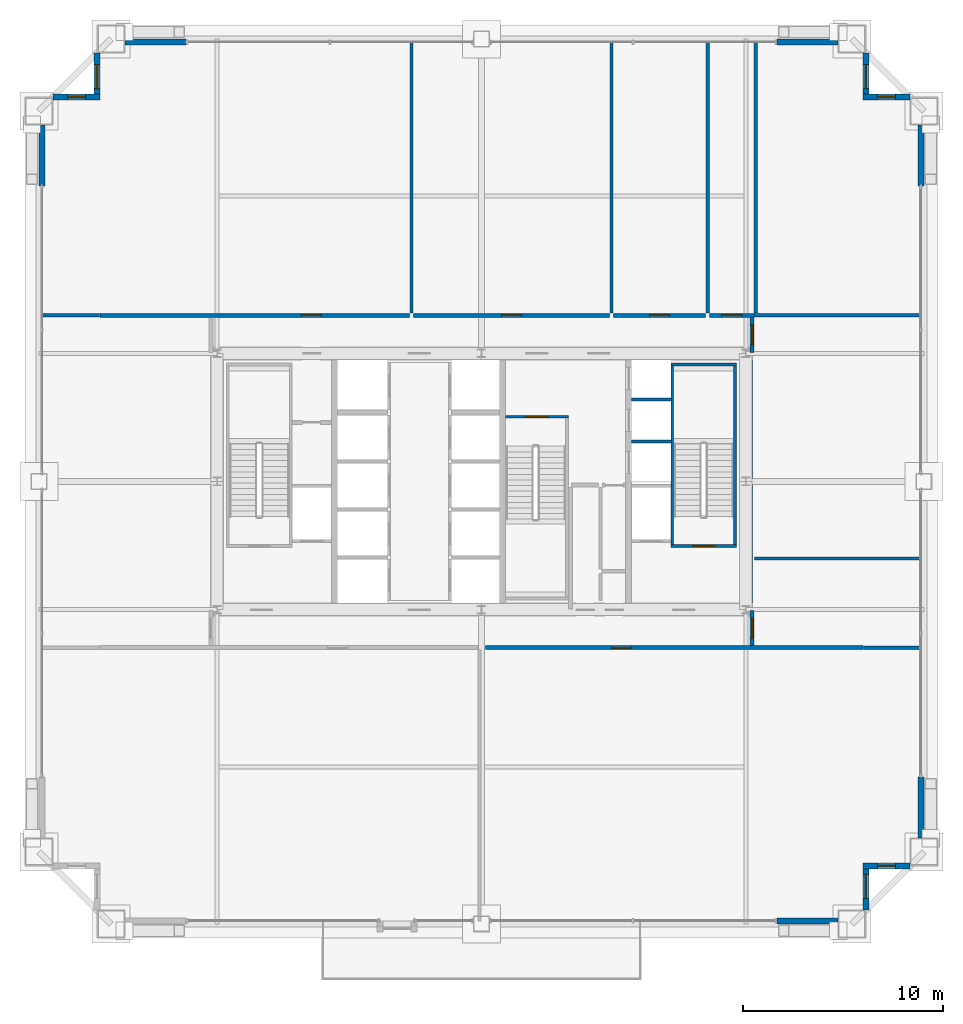
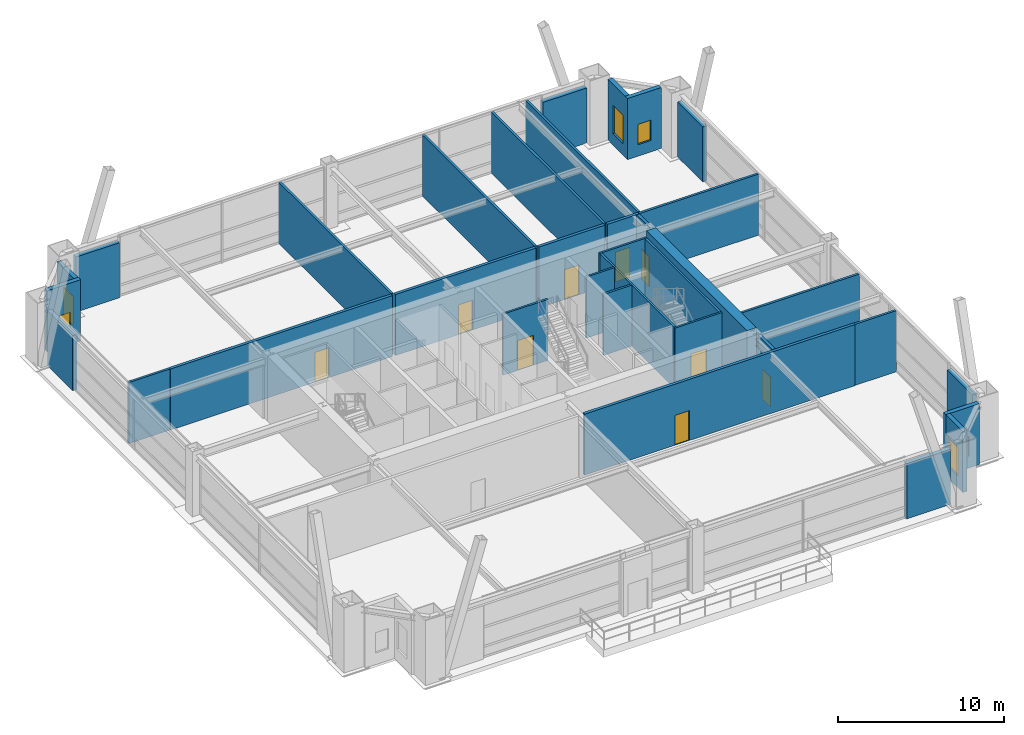
# One storey, part 32 of 34: 35 walls, 9 doors, 6 windows, 15 openings.
"""IFC4 building model written with IfcOpenShell, lengths in metres."""

from ifc_helpers import new_model, si_unit, direction, frame, frame_2d, origin, place, context, subcontext, project, spatial, rectangle, extrude, source, transform, mapped, material, layer, layer_set, type_object, element, fill, save


model = new_model("IFC4")

# Units and contexts
model_context = context("Model", 3, precision=1e-05, world=origin(), true_north=direction((0.0, 1.0)))
body_context = subcontext(model_context, "Body", "Model", "MODEL_VIEW")
ifc_project = project(units=[si_unit("LENGTHUNIT", "METRE"), si_unit("AREAUNIT", "SQUARE_METRE"), si_unit("VOLUMEUNIT", "CUBIC_METRE"), si_unit("PLANEANGLEUNIT", "RADIAN"), si_unit("MASSUNIT", "GRAM", prefix="KILO"), si_unit("THERMODYNAMICTEMPERATUREUNIT", "KELVIN"), si_unit("POWERUNIT", "WATT")], contexts=[model_context])

# Site, building, storey
site_placement = place(None, origin())
site = spatial("IfcSite", under=ifc_project, at=site_placement, CompositionType="ELEMENT")
building_placement = place(site_placement, origin())
building = spatial("IfcBuilding", under=site, at=building_placement, Name="Yuzanri Waterfront Tower", CompositionType="ELEMENT")
storey_placement = place(building_placement, frame((0.0, 0.0, 166.800048828125)))
storey = spatial("IfcBuildingStorey", under=building, at=storey_placement, Name="L44", CompositionType="ELEMENT", Elevation=166.800048828125)

# Wall, opening, window
ifc_material_1 = material(Name="Honed Chongqing Dark Basalt Stone", Category="masonry")
ifc_layer_1 = layer(ifc_material_1, 0.300048828125)
ifc_layer_set_1 = layer_set([ifc_layer_1], Name="Honed Chongqing Dark Basalt Stone")
wall_type_1 = type_object("IfcWallType", Name="Bronze Rainscreen Insulated Spandrel Portal Wall 300", PredefinedType="SOLIDWALL", material=ifc_layer_set_1)
wall_1_placement = place(storey_placement, frame((56.050048828125, 6.60009765625, 0.0), z_axis=(0.0, 0.0, 1.0), x_axis=(1.0, 0.0, 0.0)))
wall_1 = element("IfcWall", 1, at=wall_1_placement, inside=storey, type_object=wall_type_1, Name="L44 Notched Corner Masonry Wall SE-X", PredefinedType="SOLIDWALL", context=body_context, shape_type="SweptSolid", body=[
    extrude(rectangle(XDim=2.349853515625, YDim=0.300048828125, at=frame_2d((1.1748046875, 0.0))), origin(), (0.0, 0.0, 1.0), 4.5),
])
opening_1_placement = place(wall_1_placement, frame((0.72509765625, 0.0, 0.85009765625)))
opening_1 = element("IfcOpeningElement", 2, at=opening_1_placement, cuts=wall_1, Name="Opening WN-05", PredefinedType="OPENING", context=body_context, shape_type="SweptSolid", body=[
    extrude(rectangle(XDim=0.89990234375, YDim=1.5, at=frame_2d((0.449951171875, 0.75))), frame((0.0, 0.1650390625, 0.0), z_axis=(0.0, -1.0, 0.0), x_axis=(1.0, 0.0, 0.0)), (0.0, 0.0, 1.0), 0.329833984375),
])
ifc_material_2 = material(Name="Double-Silver Low-E Insulated Glass", Category="glass")
window_type_1 = type_object("IfcWindowType", Name="Anodized Bronze Service and Stairwell Smoke-Vent Window 900x1500", PartitioningType="SINGLE_PANEL", PredefinedType="WINDOW", material=ifc_material_2)
shared_shape_1 = source(origin(), body_context, "Body", "SweptSolid", [
    extrude(rectangle(XDim=0.89990234375, YDim=1.5, at=frame_2d((0.449951171875, 0.75))), frame((0.0, 0.030029296875, 0.0), z_axis=(0.0, -1.0, 0.0), x_axis=(1.0, 0.0, 0.0)), (0.0, 0.0, 1.0), 0.06005859375),
])
window_1_placement = place(opening_1_placement, origin())
window_1 = element("IfcWindow", 3, at=window_1_placement, inside=storey, type_object=window_type_1, Name="L44 Notched Corner Window SE-X", OverallHeight=1.5, OverallWidth=0.89990234375, PartitioningType="SINGLE_PANEL", PredefinedType="WINDOW", context=body_context, shape_type="MappedRepresentation", body=[
    mapped(shared_shape_1, transform((0.0, 0.0, 0.0), scale=1.0)),
])
fill(opening_1, window_1)

wall_2_placement = place(storey_placement, frame((56.199951171875, 4.39990234375, 0.0), z_axis=(0.0, 0.0, 1.0), x_axis=(0.0, 1.0, 0.0)))
wall_2 = element("IfcWall", 4, at=wall_2_placement, inside=storey, type_object=wall_type_1, Name="L44 Notched Corner Masonry Wall SE-Y", PredefinedType="SOLIDWALL", context=body_context, shape_type="SweptSolid", body=[
    extrude(rectangle(XDim=2.35009765625, YDim=0.300048828125, at=frame_2d((1.175048828125, 0.0))), origin(), (0.0, 0.0, 1.0), 4.5),
])
opening_2_placement = place(wall_2_placement, frame((0.574951171875, 0.0, 0.85009765625)))
opening_2 = element("IfcOpeningElement", 5, at=opening_2_placement, cuts=wall_2, Name="Opening WN-02", PredefinedType="OPENING", context=body_context, shape_type="SweptSolid", body=[
    extrude(rectangle(XDim=1.199951171875, YDim=2.10009765625, at=frame_2d((0.60009765625, 1.050048828125))), frame((0.0, 0.1650390625, 0.0), z_axis=(0.0, -1.0, 0.0), x_axis=(1.0, 0.0, 0.0)), (0.0, 0.0, 1.0), 0.329833984375),
])
ifc_material_3 = material(Name="Double-Silver Low-E Insulated Glass", Category="glass")
window_type_2 = type_object("IfcWindowType", Name="Anodized Bronze Notched Corner Deep-Set Slot Window 1200x2100", PartitioningType="SINGLE_PANEL", PredefinedType="WINDOW", material=ifc_material_3)
shared_shape_2 = source(origin(), body_context, "Body", "SweptSolid", [
    extrude(rectangle(XDim=1.199951171875, YDim=2.10009765625, at=frame_2d((0.60009765625, 1.050048828125))), frame((0.0, 0.030029296875, 0.0), z_axis=(0.0, -1.0, 0.0), x_axis=(1.0, 0.0, 0.0)), (0.0, 0.0, 1.0), 0.06005859375),
])
window_2_placement = place(opening_2_placement, origin())
window_2 = element("IfcWindow", 6, at=window_2_placement, inside=storey, type_object=window_type_2, Name="L44 Notched Corner Window SE-Y", OverallHeight=2.10009765625, OverallWidth=1.199951171875, PartitioningType="SINGLE_PANEL", PredefinedType="WINDOW", context=body_context, shape_type="MappedRepresentation", body=[
    mapped(shared_shape_2, transform((0.0, 0.0, 0.0), scale=1.0)),
])
fill(opening_2, window_2)

wall_3_placement = place(storey_placement, frame((17.949951171875, 45.0, 0.0), z_axis=(0.0, 0.0, 1.0), x_axis=(-1.0, 0.0, 0.0)))
wall_3 = element("IfcWall", 7, at=wall_3_placement, inside=storey, type_object=wall_type_1, Name="L44 Notched Corner Masonry Wall NW-X", PredefinedType="SOLIDWALL", context=body_context, shape_type="SweptSolid", body=[
    extrude(rectangle(XDim=2.349853515625, YDim=0.300048828125, at=frame_2d((1.1748046875, 0.0))), origin(), (0.0, 0.0, 1.0), 4.5),
])
opening_3_placement = place(wall_3_placement, frame((0.72509765625, 0.0, 0.85009765625)))
opening_3 = element("IfcOpeningElement", 8, at=opening_3_placement, cuts=wall_3, Name="Opening WN-05", PredefinedType="OPENING", context=body_context, shape_type="SweptSolid", body=[
    extrude(rectangle(XDim=0.89990234375, YDim=1.5, at=frame_2d((0.449951171875, 0.75))), frame((0.0, 0.1650390625, 0.0), z_axis=(0.0, -1.0, 0.0), x_axis=(1.0, 0.0, 0.0)), (0.0, 0.0, 1.0), 0.329833984375),
])
window_3_placement = place(opening_3_placement, origin())
window_3 = element("IfcWindow", 9, at=window_3_placement, inside=storey, type_object=window_type_1, Name="L44 Notched Corner Window NW-X", OverallHeight=1.5, OverallWidth=0.89990234375, PartitioningType="SINGLE_PANEL", PredefinedType="WINDOW", context=body_context, shape_type="MappedRepresentation", body=[
    mapped(shared_shape_1, transform((0.0, 0.0, 0.0), scale=1.0)),
])
fill(opening_3, window_3)

wall_4_placement = place(storey_placement, frame((17.800048828125, 47.199951171875, 0.0), z_axis=(0.0, 0.0, 1.0), x_axis=(0.0, -1.0, 0.0)))
wall_4 = element("IfcWall", 10, at=wall_4_placement, inside=storey, type_object=wall_type_1, Name="L44 Notched Corner Masonry Wall NW-Y", PredefinedType="SOLIDWALL", context=body_context, shape_type="SweptSolid", body=[
    extrude(rectangle(XDim=2.349853515625, YDim=0.300048828125, at=frame_2d((1.1748046875, 0.0))), origin(), (0.0, 0.0, 1.0), 4.5),
])
opening_4_placement = place(wall_4_placement, frame((0.574951171875, 0.0, 0.85009765625)))
opening_4 = element("IfcOpeningElement", 11, at=opening_4_placement, cuts=wall_4, Name="Opening WN-02", PredefinedType="OPENING", context=body_context, shape_type="SweptSolid", body=[
    extrude(rectangle(XDim=1.199951171875, YDim=2.10009765625, at=frame_2d((0.60009765625, 1.050048828125))), frame((0.0, 0.1650390625, 0.0), z_axis=(0.0, -1.0, 0.0), x_axis=(1.0, 0.0, 0.0)), (0.0, 0.0, 1.0), 0.329833984375),
])
window_4_placement = place(opening_4_placement, origin())
window_4 = element("IfcWindow", 12, at=window_4_placement, inside=storey, type_object=window_type_2, Name="L44 Notched Corner Window NW-Y", OverallHeight=2.10009765625, OverallWidth=1.199951171875, PartitioningType="SINGLE_PANEL", PredefinedType="WINDOW", context=body_context, shape_type="MappedRepresentation", body=[
    mapped(shared_shape_2, transform((0.0, 0.0, 0.0), scale=1.0)),
])
fill(opening_4, window_4)

wall_5_placement = place(storey_placement, frame((58.39990234375, 45.0, 0.0), z_axis=(0.0, 0.0, 1.0), x_axis=(-1.0, 0.0, 0.0)))
wall_5 = element("IfcWall", 13, at=wall_5_placement, inside=storey, type_object=wall_type_1, Name="L44 Notched Corner Masonry Wall NE-X", PredefinedType="SOLIDWALL", context=body_context, shape_type="SweptSolid", body=[
    extrude(rectangle(XDim=2.349853515625, YDim=0.300048828125, at=frame_2d((1.1748046875, 0.0))), origin(), (0.0, 0.0, 1.0), 4.5),
])
opening_5_placement = place(wall_5_placement, frame((0.72509765625, 0.0, 0.85009765625)))
opening_5 = element("IfcOpeningElement", 14, at=opening_5_placement, cuts=wall_5, Name="Opening WN-05", PredefinedType="OPENING", context=body_context, shape_type="SweptSolid", body=[
    extrude(rectangle(XDim=0.89990234375, YDim=1.5, at=frame_2d((0.449951171875, 0.75))), frame((0.0, 0.1650390625, 0.0), z_axis=(0.0, -1.0, 0.0), x_axis=(1.0, 0.0, 0.0)), (0.0, 0.0, 1.0), 0.329833984375),
])
window_5_placement = place(opening_5_placement, origin())
window_5 = element("IfcWindow", 15, at=window_5_placement, inside=storey, type_object=window_type_1, Name="L44 Notched Corner Window NE-X", OverallHeight=1.5, OverallWidth=0.89990234375, PartitioningType="SINGLE_PANEL", PredefinedType="WINDOW", context=body_context, shape_type="MappedRepresentation", body=[
    mapped(shared_shape_1, transform((0.0, 0.0, 0.0), scale=1.0)),
])
fill(opening_5, window_5)

wall_6_placement = place(storey_placement, frame((56.199951171875, 44.85009765625, 0.0), z_axis=(0.0, 0.0, 1.0), x_axis=(0.0, 1.0, 0.0)))
wall_6 = element("IfcWall", 16, at=wall_6_placement, inside=storey, type_object=wall_type_1, Name="L44 Notched Corner Masonry Wall NE-Y", PredefinedType="SOLIDWALL", context=body_context, shape_type="SweptSolid", body=[
    extrude(rectangle(XDim=2.349853515625, YDim=0.300048828125, at=frame_2d((1.1748046875, 0.0))), origin(), (0.0, 0.0, 1.0), 4.5),
])
opening_6_placement = place(wall_6_placement, frame((0.574951171875, 0.0, 0.85009765625)))
opening_6 = element("IfcOpeningElement", 17, at=opening_6_placement, cuts=wall_6, Name="Opening WN-02", PredefinedType="OPENING", context=body_context, shape_type="SweptSolid", body=[
    extrude(rectangle(XDim=1.199951171875, YDim=2.10009765625, at=frame_2d((0.60009765625, 1.050048828125))), frame((0.0, 0.1650390625, 0.0), z_axis=(0.0, -1.0, 0.0), x_axis=(1.0, 0.0, 0.0)), (0.0, 0.0, 1.0), 0.329833984375),
])
window_6_placement = place(opening_6_placement, origin())
window_6 = element("IfcWindow", 18, at=window_6_placement, inside=storey, type_object=window_type_2, Name="L44 Notched Corner Window NE-Y", OverallHeight=2.10009765625, OverallWidth=1.199951171875, PartitioningType="SINGLE_PANEL", PredefinedType="WINDOW", context=body_context, shape_type="MappedRepresentation", body=[
    mapped(shared_shape_2, transform((0.0, 0.0, 0.0), scale=1.0)),
])
fill(opening_6, window_6)

# Wall, opening, door
ifc_material_4 = material(Name="Concrete C40", Category="concrete")
ifc_layer_2 = layer(ifc_material_4, 0.139892578125)
ifc_layer_set_2 = layer_set([ifc_layer_2], Name="Concrete C40")
wall_type_2 = type_object("IfcWallType", Name="Core Stair Liner and Hoistway Shaft Wall 140", PredefinedType="SOLIDWALL", material=ifc_layer_set_2)
wall_7_placement = place(storey_placement, frame((46.4599609375, 22.570068359375, 0.0), z_axis=(0.0, 0.0, 1.0), x_axis=(1.0, 0.0, 0.0)))
wall_7 = element("IfcWall", 19, at=wall_7_placement, inside=storey, type_object=wall_type_2, Name="L44 Shaft Wall STW-L44-ST-02-S", PredefinedType="SOLIDWALL", context=body_context, shape_type="SweptSolid", body=[
    extrude(rectangle(XDim=3.280029296875, YDim=0.139892578125, at=frame_2d((1.64013671875, 0.0))), origin(), (0.0, 0.0, 1.0), 4.5),
])
opening_7_placement = place(wall_7_placement, frame((1.090087890625, 0.0, 0.0)))
opening_7 = element("IfcOpeningElement", 20, at=opening_7_placement, cuts=wall_7, Name="Opening FD-1100", PredefinedType="OPENING", context=body_context, shape_type="SweptSolid", body=[
    extrude(rectangle(XDim=1.10009765625, YDim=2.199951171875, at=frame_2d((0.550048828125, 1.10009765625))), frame((0.0, 0.0849609375, 0.0), z_axis=(0.0, -1.0, 0.0), x_axis=(1.0, 0.0, 0.0)), (0.0, 0.0, 1.0), 0.169677734375),
])
ifc_material_5 = material(Name="Painted Galvanized Fire Steel", Category="steel")
door_type_1 = type_object("IfcDoorType", Name="Smoke-Proof Stair and Lobby Fire Door 1100x2200", OperationType="NOTDEFINED", PredefinedType="DOOR", material=ifc_material_5)
shared_shape_3 = source(origin(), body_context, "Body", "SweptSolid", [
    extrude(rectangle(XDim=1.10009765625, YDim=2.199951171875, at=frame_2d((0.550048828125, 1.10009765625))), frame((0.0, 0.02490234375, 0.0), z_axis=(0.0, -1.0, 0.0), x_axis=(1.0, 0.0, 0.0)), (0.0, 0.0, 1.0), 0.050048828125),
])
door_1_placement = place(opening_7_placement, origin())
door_1 = element("IfcDoor", 21, at=door_1_placement, inside=storey, type_object=door_type_1, Name="L44 Stair ST-02 Fire Door", OperationType="SINGLE_SWING_LEFT", OverallHeight=2.199951171875, OverallWidth=1.10009765625, PredefinedType="DOOR", context=body_context, shape_type="MappedRepresentation", body=[
    mapped(shared_shape_3, transform((0.0, 0.0, 0.0), scale=1.0)),
])
fill(opening_7, door_1)

wall_8_placement = place(storey_placement, frame((38.199951171875, 29.030029296875, 0.0), z_axis=(0.0, 0.0, 1.0), x_axis=(1.0, 0.0, 0.0)))
wall_8 = element("IfcWall", 22, at=wall_8_placement, inside=storey, type_object=wall_type_2, Name="L44 Shaft Wall STW-L44-ST-03-N", PredefinedType="SOLIDWALL", context=body_context, shape_type="SweptSolid", body=[
    extrude(rectangle(XDim=3.14013671875, YDim=0.139892578125, at=frame_2d((1.570068359375, 0.0))), origin(), (0.0, 0.0, 1.0), 4.5),
])
opening_8_placement = place(wall_8_placement, frame((1.02001953125, 0.0, 0.0)))
opening_8 = element("IfcOpeningElement", 23, at=opening_8_placement, cuts=wall_8, Name="Opening FD-1100", PredefinedType="OPENING", context=body_context, shape_type="SweptSolid", body=[
    extrude(rectangle(XDim=1.10009765625, YDim=2.199951171875, at=frame_2d((0.550048828125, 1.10009765625))), frame((0.0, 0.0849609375, 0.0), z_axis=(0.0, -1.0, 0.0), x_axis=(1.0, 0.0, 0.0)), (0.0, 0.0, 1.0), 0.169677734375),
])
door_2_placement = place(opening_8_placement, origin())
door_2 = element("IfcDoor", 24, at=door_2_placement, inside=storey, type_object=door_type_1, Name="L44 Stair ST-03 Fire Door", OperationType="SINGLE_SWING_RIGHT", OverallHeight=2.199951171875, OverallWidth=1.10009765625, PredefinedType="DOOR", context=body_context, shape_type="MappedRepresentation", body=[
    mapped(shared_shape_3, transform((0.0, 0.0, 0.0), scale=1.0)),
])
fill(opening_8, door_2)

ifc_material_6 = material(Name="Autoclaved Aerated Concrete Blockwork", Category="masonry")
ifc_layer_3 = layer(ifc_material_6, 0.199951171875)
ifc_layer_set_3 = layer_set([ifc_layer_3], Name="Autoclaved Aerated Concrete Blockwork")
wall_type_3 = type_object("IfcWallType", Name="Corridor and Unit Party Fire Wall 200", PredefinedType="PARTITIONING", material=ifc_layer_set_3)
wall_9_placement = place(storey_placement, frame((37.199951171875, 17.5, 0.0), z_axis=(0.0, 0.0, 1.0), x_axis=(1.0, 0.0, 0.0)))
wall_9 = element("IfcWall", 25, at=wall_9_placement, inside=storey, type_object=wall_type_3, Name="L44 Partition SLW-L44-017-N", PredefinedType="PARTITIONING", context=body_context, shape_type="SweptSolid", body=[
    extrude(rectangle(XDim=18.860107421875, YDim=0.199951171875, at=frame_2d((9.43017578125, 0.0))), origin(), (0.0, 0.0, 1.0), 4.5),
])
opening_9_placement = place(wall_9_placement, frame((6.300048828125, 0.0, 0.0)))
opening_9 = element("IfcOpeningElement", 26, at=opening_9_placement, cuts=wall_9, Name="Opening FD-1000", PredefinedType="OPENING", context=body_context, shape_type="SweptSolid", body=[
    extrude(rectangle(XDim=1.0, YDim=2.199951171875, at=frame_2d((0.5, 1.10009765625))), frame((0.0, 0.11474609375, 0.0), z_axis=(0.0, -1.0, 0.0), x_axis=(1.0, 0.0, 0.0)), (0.0, 0.0, 1.0), 0.229736328125),
])
ifc_material_7 = material(Name="Engineered Oak Fire-Rated Timber", Category="wood")
door_type_2 = type_object("IfcDoorType", Name="Guestroom and Apartment Entrance Fire Door 1000x2200", OperationType="NOTDEFINED", PredefinedType="DOOR", material=ifc_material_7)
shared_shape_4 = source(origin(), body_context, "Body", "SweptSolid", [
    extrude(rectangle(XDim=1.0, YDim=2.199951171875, at=frame_2d((0.5, 1.10009765625))), frame((0.0, 0.02490234375, 0.0), z_axis=(0.0, -1.0, 0.0), x_axis=(1.0, 0.0, 0.0)), (0.0, 0.0, 1.0), 0.050048828125),
])
door_3_placement = place(opening_9_placement, origin())
door_3 = element("IfcDoor", 27, at=door_3_placement, inside=storey, type_object=door_type_2, Name="L44 All-Day Sky Dining Restaurant", OperationType="SINGLE_SWING_LEFT", OverallHeight=2.199951171875, OverallWidth=1.0, PredefinedType="DOOR", context=body_context, shape_type="MappedRepresentation", body=[
    mapped(shared_shape_4, transform((0.0, 0.0, 0.0), scale=1.0)),
])
fill(opening_9, door_3)

wall_10_placement = place(storey_placement, frame((50.52001953125, 17.610107421875, 0.0), z_axis=(0.0, 0.0, 1.0), x_axis=(0.0, 1.0, 0.0)))
wall_10 = element("IfcWall", 28, at=wall_10_placement, inside=storey, type_object=wall_type_3, Name="L44 Partition SLW-L44-019-WC", PredefinedType="PARTITIONING", context=body_context, shape_type="SweptSolid", body=[
    extrude(rectangle(XDim=1.739990234375, YDim=0.199951171875, at=frame_2d((0.8701171875, 0.0))), origin(), (0.0, 0.0, 1.0), 4.5),
])
opening_10_placement = place(wall_10_placement, frame((0.3701171875, 0.0, 0.0)))
opening_10 = element("IfcOpeningElement", 29, at=opening_10_placement, cuts=wall_10, Name="Opening FD-1000", PredefinedType="OPENING", context=body_context, shape_type="SweptSolid", body=[
    extrude(rectangle(XDim=1.0, YDim=2.199951171875, at=frame_2d((0.5, 1.10009765625))), frame((0.0, 0.11474609375, 0.0), z_axis=(0.0, -1.0, 0.0), x_axis=(1.0, 0.0, 0.0)), (0.0, 0.0, 1.0), 0.229736328125),
])
door_4_placement = place(opening_10_placement, origin())
door_4 = element("IfcDoor", 30, at=door_4_placement, inside=storey, type_object=door_type_2, Name="L44 Restaurant Catering Kitchen", OperationType="SINGLE_SWING_LEFT", OverallHeight=2.199951171875, OverallWidth=1.0, PredefinedType="DOOR", context=body_context, shape_type="MappedRepresentation", body=[
    mapped(shared_shape_4, transform((0.0, 0.0, 0.0), scale=1.0)),
])
fill(opening_10, door_4)

wall_11_placement = place(storey_placement, frame((50.52001953125, 32.25, 0.0), z_axis=(0.0, 0.0, 1.0), x_axis=(0.0, 1.0, 0.0)))
wall_11 = element("IfcWall", 31, at=wall_11_placement, inside=storey, type_object=wall_type_3, Name="L44 Partition SLW-L44-020-WC2", PredefinedType="PARTITIONING", context=body_context, shape_type="SweptSolid", body=[
    extrude(rectangle(XDim=1.739990234375, YDim=0.199951171875, at=frame_2d((0.8701171875, 0.0))), origin(), (0.0, 0.0, 1.0), 4.5),
])
opening_11_placement = place(wall_11_placement, frame((0.3701171875, 0.0, 0.0)))
opening_11 = element("IfcOpeningElement", 32, at=opening_11_placement, cuts=wall_11, Name="Opening FD-1000", PredefinedType="OPENING", context=body_context, shape_type="SweptSolid", body=[
    extrude(rectangle(XDim=1.0, YDim=2.199951171875, at=frame_2d((0.5, 1.10009765625))), frame((0.0, 0.11474609375, 0.0), z_axis=(0.0, -1.0, 0.0), x_axis=(1.0, 0.0, 0.0)), (0.0, 0.0, 1.0), 0.229736328125),
])
door_5_placement = place(opening_11_placement, origin())
door_5 = element("IfcDoor", 33, at=door_5_placement, inside=storey, type_object=door_type_2, Name="L44 Sky Banquet Pantry Store", OperationType="SINGLE_SWING_RIGHT", OverallHeight=2.199951171875, OverallWidth=1.0, PredefinedType="DOOR", context=body_context, shape_type="MappedRepresentation", body=[
    mapped(shared_shape_4, transform((0.0, 0.0, 0.0), scale=1.0)),
])
fill(opening_11, door_5)

wall_12_placement = place(storey_placement, frame((17.93994140625, 34.10009765625, 0.0), z_axis=(0.0, 0.0, 1.0), x_axis=(1.0, 0.0, 0.0)))
wall_12 = element("IfcWall", 34, at=wall_12_placement, inside=storey, type_object=wall_type_3, Name="L44 Partition SLW-L44-021-S", PredefinedType="PARTITIONING", context=body_context, shape_type="SweptSolid", body=[
    extrude(rectangle(XDim=15.4599609375, YDim=0.199951171875, at=frame_2d((7.72998046875, 0.0))), origin(), (0.0, 0.0, 1.0), 4.5),
])
opening_12_placement = place(wall_12_placement, frame((10.06005859375, 0.0, 0.0)))
opening_12 = element("IfcOpeningElement", 35, at=opening_12_placement, cuts=wall_12, Name="Opening FD-1000", PredefinedType="OPENING", context=body_context, shape_type="SweptSolid", body=[
    extrude(rectangle(XDim=1.0, YDim=2.199951171875, at=frame_2d((0.5, 1.10009765625))), frame((0.0, 0.11474609375, 0.0), z_axis=(0.0, -1.0, 0.0), x_axis=(1.0, 0.0, 0.0)), (0.0, 0.0, 1.0), 0.229736328125),
])
door_6_placement = place(opening_12_placement, origin())
door_6 = element("IfcDoor", 36, at=door_6_placement, inside=storey, type_object=door_type_2, Name="L44 Pool Towel and Robe Store", OperationType="SINGLE_SWING_LEFT", OverallHeight=2.199951171875, OverallWidth=1.0, PredefinedType="DOOR", context=body_context, shape_type="MappedRepresentation", body=[
    mapped(shared_shape_4, transform((0.0, 0.0, 0.0), scale=1.0)),
])
fill(opening_12, door_6)

wall_13_placement = place(storey_placement, frame((33.60009765625, 34.10009765625, 0.0), z_axis=(0.0, 0.0, 1.0), x_axis=(1.0, 0.0, 0.0)))
wall_13 = element("IfcWall", 37, at=wall_13_placement, inside=storey, type_object=wall_type_3, Name="L44 Partition SLW-L44-022-S", PredefinedType="PARTITIONING", context=body_context, shape_type="SweptSolid", body=[
    extrude(rectangle(XDim=9.7998046875, YDim=0.199951171875, at=frame_2d((4.89990234375, 0.0))), origin(), (0.0, 0.0, 1.0), 4.5),
])
opening_13_placement = place(wall_13_placement, frame((4.39990234375, 0.0, 0.0)))
opening_13 = element("IfcOpeningElement", 38, at=opening_13_placement, cuts=wall_13, Name="Opening FD-1000", PredefinedType="OPENING", context=body_context, shape_type="SweptSolid", body=[
    extrude(rectangle(XDim=1.0, YDim=2.199951171875, at=frame_2d((0.5, 1.10009765625))), frame((0.0, 0.11474609375, 0.0), z_axis=(0.0, -1.0, 0.0), x_axis=(1.0, 0.0, 0.0)), (0.0, 0.0, 1.0), 0.229736328125),
])
door_7_placement = place(opening_13_placement, origin())
door_7 = element("IfcDoor", 39, at=door_7_placement, inside=storey, type_object=door_type_2, Name="L44 Sky Reception Concierge Office", OperationType="SINGLE_SWING_RIGHT", OverallHeight=2.199951171875, OverallWidth=1.0, PredefinedType="DOOR", context=body_context, shape_type="MappedRepresentation", body=[
    mapped(shared_shape_4, transform((0.0, 0.0, 0.0), scale=1.0)),
])
fill(opening_13, door_7)

wall_14_placement = place(storey_placement, frame((43.60009765625, 34.10009765625, 0.0), z_axis=(0.0, 0.0, 1.0), x_axis=(1.0, 0.0, 0.0)))
wall_14 = element("IfcWall", 40, at=wall_14_placement, inside=storey, type_object=wall_type_3, Name="L44 Partition SLW-L44-023-S", PredefinedType="PARTITIONING", context=body_context, shape_type="SweptSolid", body=[
    extrude(rectangle(XDim=4.599853515625, YDim=0.199951171875, at=frame_2d((2.2998046875, 0.0))), origin(), (0.0, 0.0, 1.0), 4.5),
])
opening_14_placement = place(wall_14_placement, frame((1.800048828125, 0.0, 0.0)))
opening_14 = element("IfcOpeningElement", 41, at=opening_14_placement, cuts=wall_14, Name="Opening FD-1000", PredefinedType="OPENING", context=body_context, shape_type="SweptSolid", body=[
    extrude(rectangle(XDim=1.0, YDim=2.199951171875, at=frame_2d((0.5, 1.10009765625))), frame((0.0, 0.11474609375, 0.0), z_axis=(0.0, -1.0, 0.0), x_axis=(1.0, 0.0, 0.0)), (0.0, 0.0, 1.0), 0.229736328125),
])
door_8_placement = place(opening_14_placement, origin())
door_8 = element("IfcDoor", 42, at=door_8_placement, inside=storey, type_object=door_type_2, Name="L44 Public Restroom", OperationType="SINGLE_SWING_LEFT", OverallHeight=2.199951171875, OverallWidth=1.0, PredefinedType="DOOR", context=body_context, shape_type="MappedRepresentation", body=[
    mapped(shared_shape_4, transform((0.0, 0.0, 0.0), scale=1.0)),
])
fill(opening_14, door_8)

wall_15_placement = place(storey_placement, frame((48.39990234375, 34.10009765625, 0.0), z_axis=(0.0, 0.0, 1.0), x_axis=(1.0, 0.0, 0.0)))
wall_15 = element("IfcWall", 43, at=wall_15_placement, inside=storey, type_object=wall_type_3, Name="L44 Partition SLW-L44-024-S", PredefinedType="PARTITIONING", context=body_context, shape_type="SweptSolid", body=[
    extrude(rectangle(XDim=2.2001953125, YDim=0.199951171875, at=frame_2d((1.10009765625, 0.0))), origin(), (0.0, 0.0, 1.0), 4.5),
])
opening_15_placement = place(wall_15_placement, frame((0.60009765625, 0.0, 0.0)))
opening_15 = element("IfcOpeningElement", 44, at=opening_15_placement, cuts=wall_15, Name="Opening FD-1000", PredefinedType="OPENING", context=body_context, shape_type="SweptSolid", body=[
    extrude(rectangle(XDim=1.0, YDim=2.199951171875, at=frame_2d((0.5, 1.10009765625))), frame((0.0, 0.11474609375, 0.0), z_axis=(0.0, -1.0, 0.0), x_axis=(1.0, 0.0, 0.0)), (0.0, 0.0, 1.0), 0.229736328125),
])
door_9_placement = place(opening_15_placement, origin())
door_9 = element("IfcDoor", 45, at=door_9_placement, inside=storey, type_object=door_type_2, Name="L44 Accessible WC", OperationType="SINGLE_SWING_RIGHT", OverallHeight=2.199951171875, OverallWidth=1.0, PredefinedType="DOOR", context=body_context, shape_type="MappedRepresentation", body=[
    mapped(shared_shape_4, transform((0.0, 0.0, 0.0), scale=1.0)),
])
fill(opening_15, door_9)

# Walls
ifc_material_8 = material(Name="Concrete C50", Category="concrete")
ifc_layer_4 = layer(ifc_material_8, 0.64990234375)
ifc_layer_set_4 = layer_set([ifc_layer_4], Name="Concrete C50")
wall_type_4 = type_object("IfcWallType", Name="Concrete C50 Mid Zone Core Shear Wall 650", PredefinedType="SHEAR", material=ifc_layer_set_4)
shared_shape_5 = source(origin(), body_context, "Body", "SweptSolid", [
    extrude(rectangle(XDim=12.14990234375, YDim=0.64990234375, at=frame_2d((6.074951171875, 0.0))), origin(), (0.0, 0.0, 1.0), 4.800048828125),
])
wall_16_placement = place(storey_placement, frame((50.199951171875, 19.72509765625, 0.0), z_axis=(0.0, 0.0, 1.0), x_axis=(0.0, 1.0, 0.0)))
element("IfcWall", 46, at=wall_16_placement, inside=storey, type_object=wall_type_4, Name="L44 Core East Shear Wall", PredefinedType="SHEAR", context=body_context, shape_type="MappedRepresentation", body=[
    mapped(shared_shape_5, transform((0.0, 0.0, 0.0), scale=1.0)),
])
shared_shape_6 = source(origin(), body_context, "Body", "SweptSolid", [
    extrude(rectangle(XDim=3.050048828125, YDim=0.300048828125, at=frame_2d((1.52490234375, 0.0))), origin(), (0.0, 0.0, 1.0), 4.054931640625),
])
for number, where, z_axis, x_axis, name in (
    (47, (51.75, 3.85009765625, 0.0), (0.0, 0.0, 1.0), (1.0, 0.0, 0.0), "L44 S Right Braced Masonry Shoulder"),
    (48, (19.199951171875, 47.75, 0.0), (0.0, 0.0, 1.0), (1.0, 0.0, 0.0), "L44 N Left Braced Masonry Shoulder"),
    (49, (51.75, 47.75, 0.0), (0.0, 0.0, 1.0), (1.0, 0.0, 0.0), "L44 N Right Braced Masonry Shoulder"),
    (50, (15.050048828125, 40.550048828125, 0.0), (0.0, 0.0, 1.0), (0.0, 1.0, 0.0), "L44 W Right Braced Masonry Shoulder"),
    (51, (58.949951171875, 8.0, 0.0), (0.0, 0.0, 1.0), (0.0, 1.0, 0.0), "L44 E Left Braced Masonry Shoulder"),
    (52, (58.949951171875, 40.550048828125, 0.0), (0.0, 0.0, 1.0), (0.0, 1.0, 0.0), "L44 E Right Braced Masonry Shoulder"),
):
    element("IfcWall", number, at=place(storey_placement, frame(where, z_axis=z_axis, x_axis=x_axis)), inside=storey, type_object=wall_type_1, Name=name, PredefinedType="SOLIDWALL", context=body_context, shape_type="MappedRepresentation", body=[
        mapped(shared_shape_6, transform((0.0, 0.0, 0.0), scale=1.0)),
    ])
shared_shape_7 = source(origin(), body_context, "Body", "SweptSolid", [
    extrude(rectangle(XDim=2.0, YDim=0.139892578125, at=frame_2d((1.0, 0.0))), origin(), (0.0, 0.0, 1.0), 4.5),
])
for number, where, z_axis, x_axis, name in (
    (53, (44.5, 27.800048828125, 0.0), (0.0, 0.0, 1.0), (1.0, 0.0, 0.0), "L44 Lift PL-09 Divider Wall"),
    (54, (44.5, 29.89990234375, 0.0), (0.0, 0.0, 1.0), (1.0, 0.0, 0.0), "L44 Lift PL-10 Divider Wall"),
):
    element("IfcWall", number, at=place(storey_placement, frame(where, z_axis=z_axis, x_axis=x_axis)), inside=storey, type_object=wall_type_2, Name=name, PredefinedType="SOLIDWALL", context=body_context, shape_type="MappedRepresentation", body=[
        mapped(shared_shape_7, transform((0.0, 0.0, 0.0), scale=1.0)),
    ])
shared_shape_8 = source(origin(), body_context, "Body", "SweptSolid", [
    extrude(rectangle(XDim=3.280029296875, YDim=0.139892578125, at=frame_2d((1.64013671875, 0.0))), origin(), (0.0, 0.0, 1.0), 4.5),
])
wall_17_placement = place(storey_placement, frame((46.4599609375, 31.64990234375, 0.0), z_axis=(0.0, 0.0, 1.0), x_axis=(1.0, 0.0, 0.0)))
element("IfcWall", 55, at=wall_17_placement, inside=storey, type_object=wall_type_2, Name="L44 Stair ST-02 North Shaft Wall", PredefinedType="SOLIDWALL", context=body_context, shape_type="MappedRepresentation", body=[
    mapped(shared_shape_8, transform((0.0, 0.0, 0.0), scale=1.0)),
])
shared_shape_9 = source(origin(), body_context, "Body", "SweptSolid", [
    extrude(rectangle(XDim=8.940185546875, YDim=0.139892578125, at=frame_2d((4.47021484375, 0.0))), origin(), (0.0, 0.0, 1.0), 4.5),
])
for number, where, z_axis, x_axis, name in (
    (56, (46.530029296875, 22.639892578125, 0.0), (0.0, 0.0, 1.0), (0.0, 1.0, 0.0), "L44 Stair ST-02 West Shaft Wall"),
    (57, (49.669921875, 22.639892578125, 0.0), (0.0, 0.0, 1.0), (0.0, 1.0, 0.0), "L44 Stair ST-02 East Shaft Wall"),
):
    element("IfcWall", number, at=place(storey_placement, frame(where, z_axis=z_axis, x_axis=x_axis)), inside=storey, type_object=wall_type_2, Name=name, PredefinedType="SOLIDWALL", context=body_context, shape_type="MappedRepresentation", body=[
        mapped(shared_shape_9, transform((0.0, 0.0, 0.0), scale=1.0)),
    ])
ifc_material_9 = material(Name="Gypsum Fireboard Acoustic Stud Wall", Category="gypsum")
ifc_layer_5 = layer(ifc_material_9, 0.159912109375)
ifc_layer_set_5 = layer_set([ifc_layer_5], Name="Gypsum Fireboard Acoustic Stud Wall")
wall_type_5 = type_object("IfcWallType", Name="Acoustic Suite Demising Partition 160", PredefinedType="PARTITIONING", material=ifc_layer_set_5)
shared_shape_10 = source(origin(), body_context, "Body", "SweptSolid", [
    extrude(rectangle(XDim=2.8798828125, YDim=0.159912109375, at=frame_2d((1.43994140625, 0.0))), origin(), (0.0, 0.0, 1.0), 4.5),
])
for number, where, z_axis, x_axis, name in (
    (58, (15.050048828125, 34.10009765625, 0.0), (0.0, 0.0, 1.0), (1.0, 0.0, 0.0), "L44-018 North Wing Wall"),
    (59, (56.070068359375, 17.5, 0.0), (0.0, 0.0, 1.0), (1.0, 0.0, 0.0), "L44-019 South Wing Wall"),
):
    element("IfcWall", number, at=place(storey_placement, frame(where, z_axis=z_axis, x_axis=x_axis)), inside=storey, type_object=wall_type_5, Name=name, PredefinedType="PARTITIONING", context=body_context, shape_type="MappedRepresentation", body=[
        mapped(shared_shape_10, transform((0.0, 0.0, 0.0), scale=1.0)),
    ])
shared_shape_11 = source(origin(), body_context, "Body", "SweptSolid", [
    extrude(rectangle(XDim=8.320068359375, YDim=0.159912109375, at=frame_2d((4.16015625, 0.0))), origin(), (0.0, 0.0, 1.0), 4.5),
])
wall_18_placement = place(storey_placement, frame((50.6298828125, 21.949951171875, 0.0), z_axis=(0.0, 0.0, 1.0), x_axis=(1.0, 0.0, 0.0)))
element("IfcWall", 60, at=wall_18_placement, inside=storey, type_object=wall_type_5, Name="L44-019 East Wing Shared Partition", PredefinedType="PARTITIONING", context=body_context, shape_type="MappedRepresentation", body=[
    mapped(shared_shape_11, transform((0.0, 0.0, 0.0), scale=1.0)),
])
shared_shape_12 = source(origin(), body_context, "Body", "SweptSolid", [
    extrude(rectangle(XDim=8.329833984375, YDim=0.159912109375, at=frame_2d((4.1650390625, 0.0))), origin(), (0.0, 0.0, 1.0), 4.5),
])
wall_19_placement = place(storey_placement, frame((50.6201171875, 34.10009765625, 0.0), z_axis=(0.0, 0.0, 1.0), x_axis=(1.0, 0.0, 0.0)))
element("IfcWall", 61, at=wall_19_placement, inside=storey, type_object=wall_type_5, Name="L44-020 North Wing Wall", PredefinedType="PARTITIONING", context=body_context, shape_type="MappedRepresentation", body=[
    mapped(shared_shape_12, transform((0.0, 0.0, 0.0), scale=1.0)),
])
shared_shape_13 = source(origin(), body_context, "Body", "SweptSolid", [
    extrude(rectangle(XDim=13.5400390625, YDim=0.159912109375, at=frame_2d((6.77001953125, 0.0))), origin(), (0.0, 0.0, 1.0), 4.5),
])
for number, where, z_axis, x_axis, name in (
    (62, (33.5, 34.2099609375, 0.0), (0.0, 0.0, 1.0), (0.0, 1.0, 0.0), "L44-021 Demising Wall"),
    (63, (43.5, 34.2099609375, 0.0), (0.0, 0.0, 1.0), (0.0, 1.0, 0.0), "L44-022 Demising Wall"),
    (64, (48.300048828125, 34.2099609375, 0.0), (0.0, 0.0, 1.0), (0.0, 1.0, 0.0), "L44-023 Demising Wall"),
    (65, (50.699951171875, 34.2099609375, 0.0), (0.0, 0.0, 1.0), (0.0, 1.0, 0.0), "L44-024 Demising Wall"),
):
    element("IfcWall", number, at=place(storey_placement, frame(where, z_axis=z_axis, x_axis=x_axis)), inside=storey, type_object=wall_type_5, Name=name, PredefinedType="PARTITIONING", context=body_context, shape_type="MappedRepresentation", body=[
        mapped(shared_shape_13, transform((0.0, 0.0, 0.0), scale=1.0)),
    ])

save(model, "model.ifc")
